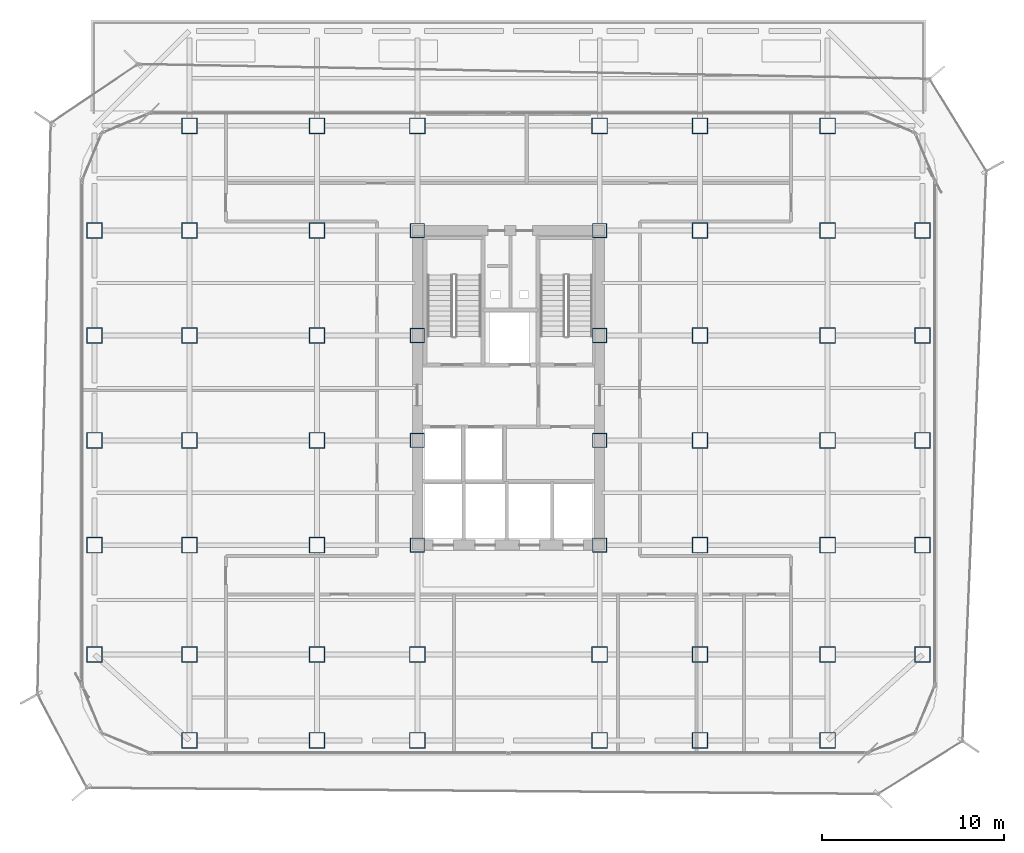
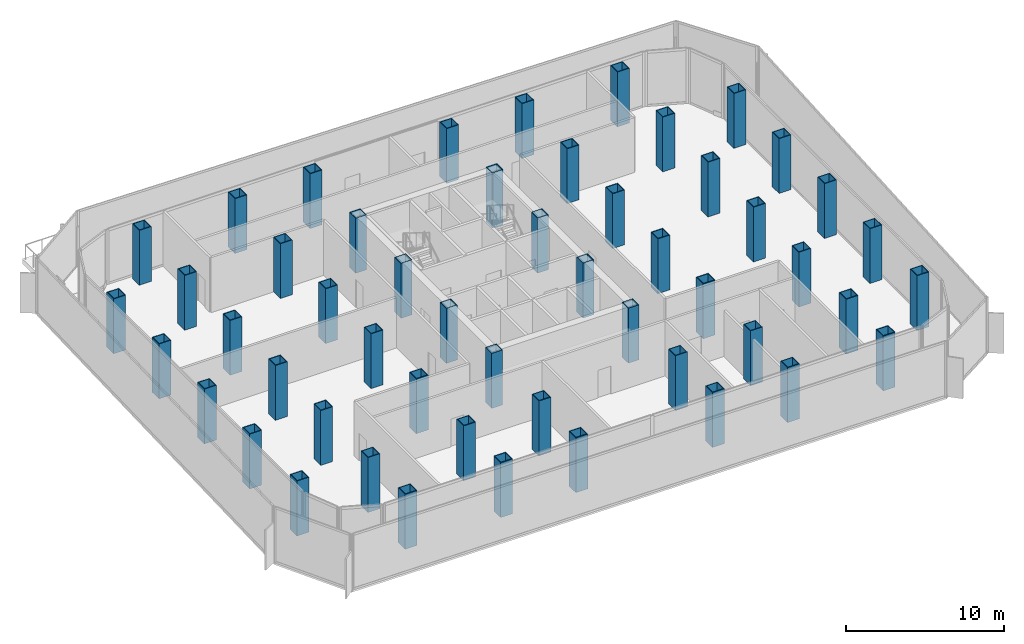
# One storey, part 1 of 21: 52 columns.
"""IFC4 building model written with IfcOpenShell, lengths in metres."""

from ifc_helpers import new_model, si_unit, direction, frame, origin, origin_2d, place, context, subcontext, project, spatial, hollow_rectangle, extrude, source, transform, mapped, material, material_profile, profile_set, type_object, element, save


model = new_model("IFC4")

# Units and contexts
model_context = context("Model", 3, precision=1e-05, world=origin(), true_north=direction((0.0, 1.0)))
body_context = subcontext(model_context, "Body", "Model", "MODEL_VIEW")
ifc_project = project(units=[si_unit("LENGTHUNIT", "METRE"), si_unit("AREAUNIT", "SQUARE_METRE"), si_unit("VOLUMEUNIT", "CUBIC_METRE"), si_unit("PLANEANGLEUNIT", "RADIAN"), si_unit("MASSUNIT", "GRAM", prefix="KILO")], contexts=[model_context])

# Site, building, storey
site_placement = place(None, origin())
site = spatial("IfcSite", under=ifc_project, at=site_placement, CompositionType="ELEMENT")
building_placement = place(site_placement, origin())
building = spatial("IfcBuilding", under=site, at=building_placement, Name="Kolveth Station Tower", CompositionType="ELEMENT")
storey_placement = place(building_placement, frame((0.0, 0.0, 88.199951171875)))
storey = spatial("IfcBuildingStorey", under=building, at=storey_placement, Name="L23", CompositionType="ELEMENT", Elevation=88.199951171875)

# Columns
ifc_material_1 = material(Name="Steel S460", Category="steel")
ifc_material_profile_1 = material_profile(ifc_material_1, hollow_rectangle(XDim=0.8798828125, YDim=0.8798828125, WallThickness=0.050048828125, at=origin_2d()), Name="BOX880x880x50")
ifc_profile_set_1 = profile_set([ifc_material_profile_1], Name="Steel S460")
column_type_1 = type_object("IfcColumnType", Name="Col_C4", PredefinedType="COLUMN", material=ifc_profile_set_1)
shared_shape_1 = source(origin(), body_context, "Body", "SweptSolid", [
    extrude(hollow_rectangle(XDim=0.8798828125, YDim=0.8798828125, WallThickness=0.050048828125, at=origin_2d()), origin(), (0.0, 0.0, 1.0), 4.25),
])
for number, where, z_axis, x_axis, name in (
    (1, (6.0, 0.800048828125, 0.0), (0.0, 0.0, 1.0), (1.0, 0.0, 0.0), "L23 Tower Column S-X60"),
    (2, (6.0, 34.5, 0.0), (0.0, 0.0, 1.0), (1.0, 0.0, 0.0), "L23 Tower Column N-X60"),
    (3, (13.0, 0.800048828125, 0.0), (0.0, 0.0, 1.0), (1.0, 0.0, 0.0), "L23 Tower Column S-X130"),
    (4, (13.0, 34.5, 0.0), (0.0, 0.0, 1.0), (1.0, 0.0, 0.0), "L23 Tower Column N-X130"),
    (5, (18.5, 0.800048828125, 0.0), (0.0, 0.0, 1.0), (1.0, 0.0, 0.0), "L23 Tower Column S-X185"),
    (6, (18.5, 34.5, 0.0), (0.0, 0.0, 1.0), (1.0, 0.0, 0.0), "L23 Tower Column N-X185"),
    (7, (28.5, 0.800048828125, 0.0), (0.0, 0.0, 1.0), (1.0, 0.0, 0.0), "L23 Tower Column S-X285"),
    (8, (28.5, 34.5, 0.0), (0.0, 0.0, 1.0), (1.0, 0.0, 0.0), "L23 Tower Column N-X285"),
    (9, (34.0, 0.800048828125, 0.0), (0.0, 0.0, 1.0), (1.0, 0.0, 0.0), "L23 Tower Column S-X340"),
    (10, (34.0, 34.5, 0.0), (0.0, 0.0, 1.0), (1.0, 0.0, 0.0), "L23 Tower Column N-X340"),
    (11, (41.0, 0.800048828125, 0.0), (0.0, 0.0, 1.0), (1.0, 0.0, 0.0), "L23 Tower Column S-X410"),
    (12, (41.0, 34.5, 0.0), (0.0, 0.0, 1.0), (1.0, 0.0, 0.0), "L23 Tower Column N-X410"),
    (13, (0.800048828125, 5.5, 0.0), (0.0, 0.0, 1.0), (1.0, 0.0, 0.0), "L23 Tower Column W-Y55"),
    (14, (46.199951171875, 5.5, 0.0), (0.0, 0.0, 1.0), (1.0, 0.0, 0.0), "L23 Tower Column E-Y55"),
    (15, (0.800048828125, 11.5, 0.0), (0.0, 0.0, 1.0), (1.0, 0.0, 0.0), "L23 Tower Column W-Y115"),
    (16, (46.199951171875, 11.5, 0.0), (0.0, 0.0, 1.0), (1.0, 0.0, 0.0), "L23 Tower Column E-Y115"),
    (17, (0.800048828125, 17.25, 0.0), (0.0, 0.0, 1.0), (1.0, 0.0, 0.0), "L23 Tower Column W-Y172"),
    (18, (46.199951171875, 17.25, 0.0), (0.0, 0.0, 1.0), (1.0, 0.0, 0.0), "L23 Tower Column E-Y172"),
    (19, (0.800048828125, 23.0, 0.0), (0.0, 0.0, 1.0), (1.0, 0.0, 0.0), "L23 Tower Column W-Y230"),
    (20, (46.199951171875, 23.0, 0.0), (0.0, 0.0, 1.0), (1.0, 0.0, 0.0), "L23 Tower Column E-Y230"),
    (21, (0.800048828125, 28.75, 0.0), (0.0, 0.0, 1.0), (1.0, 0.0, 0.0), "L23 Tower Column W-Y287"),
    (22, (46.199951171875, 28.75, 0.0), (0.0, 0.0, 1.0), (1.0, 0.0, 0.0), "L23 Tower Column E-Y287"),
    (23, (6.0, 5.5, 0.0), (0.0, 0.0, 1.0), (1.0, 0.0, 0.0), "L23 Tower Column G-60-55"),
    (24, (6.0, 11.5, 0.0), (0.0, 0.0, 1.0), (1.0, 0.0, 0.0), "L23 Tower Column G-60-115"),
    (25, (6.0, 17.25, 0.0), (0.0, 0.0, 1.0), (1.0, 0.0, 0.0), "L23 Tower Column G-60-172"),
    (26, (6.0, 23.0, 0.0), (0.0, 0.0, 1.0), (1.0, 0.0, 0.0), "L23 Tower Column G-60-230"),
    (27, (6.0, 28.75, 0.0), (0.0, 0.0, 1.0), (1.0, 0.0, 0.0), "L23 Tower Column G-60-287"),
    (28, (13.0, 5.5, 0.0), (0.0, 0.0, 1.0), (1.0, 0.0, 0.0), "L23 Tower Column G-130-55"),
    (29, (13.0, 11.5, 0.0), (0.0, 0.0, 1.0), (1.0, 0.0, 0.0), "L23 Tower Column G-130-115"),
    (30, (13.0, 17.25, 0.0), (0.0, 0.0, 1.0), (1.0, 0.0, 0.0), "L23 Tower Column G-130-172"),
    (31, (13.0, 23.0, 0.0), (0.0, 0.0, 1.0), (1.0, 0.0, 0.0), "L23 Tower Column G-130-230"),
    (32, (13.0, 28.75, 0.0), (0.0, 0.0, 1.0), (1.0, 0.0, 0.0), "L23 Tower Column G-130-287"),
    (33, (18.5, 5.5, 0.0), (0.0, 0.0, 1.0), (1.0, 0.0, 0.0), "L23 Tower Column G-185-55"),
    (34, (28.5, 5.5, 0.0), (0.0, 0.0, 1.0), (1.0, 0.0, 0.0), "L23 Tower Column G-285-55"),
    (35, (34.0, 5.5, 0.0), (0.0, 0.0, 1.0), (1.0, 0.0, 0.0), "L23 Tower Column G-340-55"),
    (36, (34.0, 11.5, 0.0), (0.0, 0.0, 1.0), (1.0, 0.0, 0.0), "L23 Tower Column G-340-115"),
    (37, (34.0, 17.25, 0.0), (0.0, 0.0, 1.0), (1.0, 0.0, 0.0), "L23 Tower Column G-340-172"),
    (38, (34.0, 23.0, 0.0), (0.0, 0.0, 1.0), (1.0, 0.0, 0.0), "L23 Tower Column G-340-230"),
    (39, (34.0, 28.75, 0.0), (0.0, 0.0, 1.0), (1.0, 0.0, 0.0), "L23 Tower Column G-340-287"),
    (40, (41.0, 5.5, 0.0), (0.0, 0.0, 1.0), (1.0, 0.0, 0.0), "L23 Tower Column G-410-55"),
    (41, (41.0, 11.5, 0.0), (0.0, 0.0, 1.0), (1.0, 0.0, 0.0), "L23 Tower Column G-410-115"),
    (42, (41.0, 17.25, 0.0), (0.0, 0.0, 1.0), (1.0, 0.0, 0.0), "L23 Tower Column G-410-172"),
    (43, (41.0, 23.0, 0.0), (0.0, 0.0, 1.0), (1.0, 0.0, 0.0), "L23 Tower Column G-410-230"),
    (44, (41.0, 28.75, 0.0), (0.0, 0.0, 1.0), (1.0, 0.0, 0.0), "L23 Tower Column G-410-287"),
):
    element("IfcColumn", number, at=place(storey_placement, frame(where, z_axis=z_axis, x_axis=x_axis)), inside=storey, type_object=column_type_1, Name=name, PredefinedType="COLUMN", context=body_context, shape_type="MappedRepresentation", body=[
        mapped(shared_shape_1, transform((0.0, 0.0, 0.0), x_axis=(1.0, 0.0, 0.0), y_axis=(0.0, 1.0, 0.0), z_axis=(0.0, 0.0, 1.0), scale=1.0)),
    ])
ifc_material_2 = material(Name="Steel S355", Category="steel")
ifc_material_profile_2 = material_profile(ifc_material_2, hollow_rectangle(XDim=0.800048828125, YDim=0.800048828125, WallThickness=0.044921875, at=origin_2d()), Name="BOX800x800x45")
ifc_profile_set_2 = profile_set([ifc_material_profile_2], Name="Steel S355")
column_type_2 = type_object("IfcColumnType", Name="Col_C5", PredefinedType="COLUMN", material=ifc_profile_set_2)
shared_shape_2 = source(origin(), body_context, "Body", "SweptSolid", [
    extrude(hollow_rectangle(XDim=0.800048828125, YDim=0.800048828125, WallThickness=0.044921875, at=origin_2d()), origin(), (0.0, 0.0, 1.0), 4.25),
])
for number, where, z_axis, x_axis, name in (
    (45, (18.5, 11.5, 0.0), (0.0, 0.0, 1.0), (1.0, 0.0, 0.0), "L23 Tower Column G-185-115"),
    (46, (18.5, 17.25, 0.0), (0.0, 0.0, 1.0), (1.0, 0.0, 0.0), "L23 Tower Column G-185-172"),
    (47, (18.5, 23.0, 0.0), (0.0, 0.0, 1.0), (1.0, 0.0, 0.0), "L23 Tower Column G-185-230"),
    (48, (18.5, 28.75, 0.0), (0.0, 0.0, 1.0), (1.0, 0.0, 0.0), "L23 Tower Column G-185-287"),
    (49, (28.5, 11.5, 0.0), (0.0, 0.0, 1.0), (1.0, 0.0, 0.0), "L23 Tower Column G-285-115"),
    (50, (28.5, 17.25, 0.0), (0.0, 0.0, 1.0), (1.0, 0.0, 0.0), "L23 Tower Column G-285-172"),
    (51, (28.5, 23.0, 0.0), (0.0, 0.0, 1.0), (1.0, 0.0, 0.0), "L23 Tower Column G-285-230"),
    (52, (28.5, 28.75, 0.0), (0.0, 0.0, 1.0), (1.0, 0.0, 0.0), "L23 Tower Column G-285-287"),
):
    element("IfcColumn", number, at=place(storey_placement, frame(where, z_axis=z_axis, x_axis=x_axis)), inside=storey, type_object=column_type_2, Name=name, PredefinedType="COLUMN", context=body_context, shape_type="MappedRepresentation", body=[
        mapped(shared_shape_2, transform((0.0, 0.0, 0.0), x_axis=(1.0, 0.0, 0.0), y_axis=(0.0, 1.0, 0.0), z_axis=(0.0, 0.0, 1.0), scale=1.0)),
    ])

save(model, "model.ifc")
